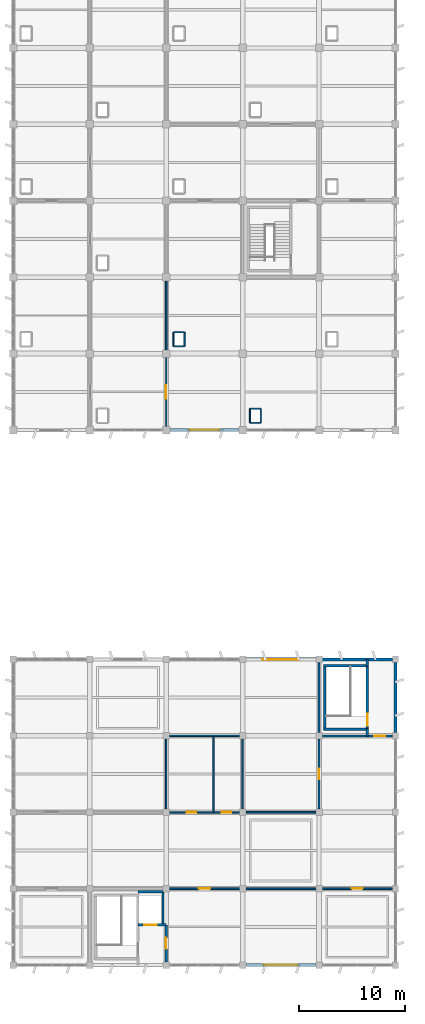
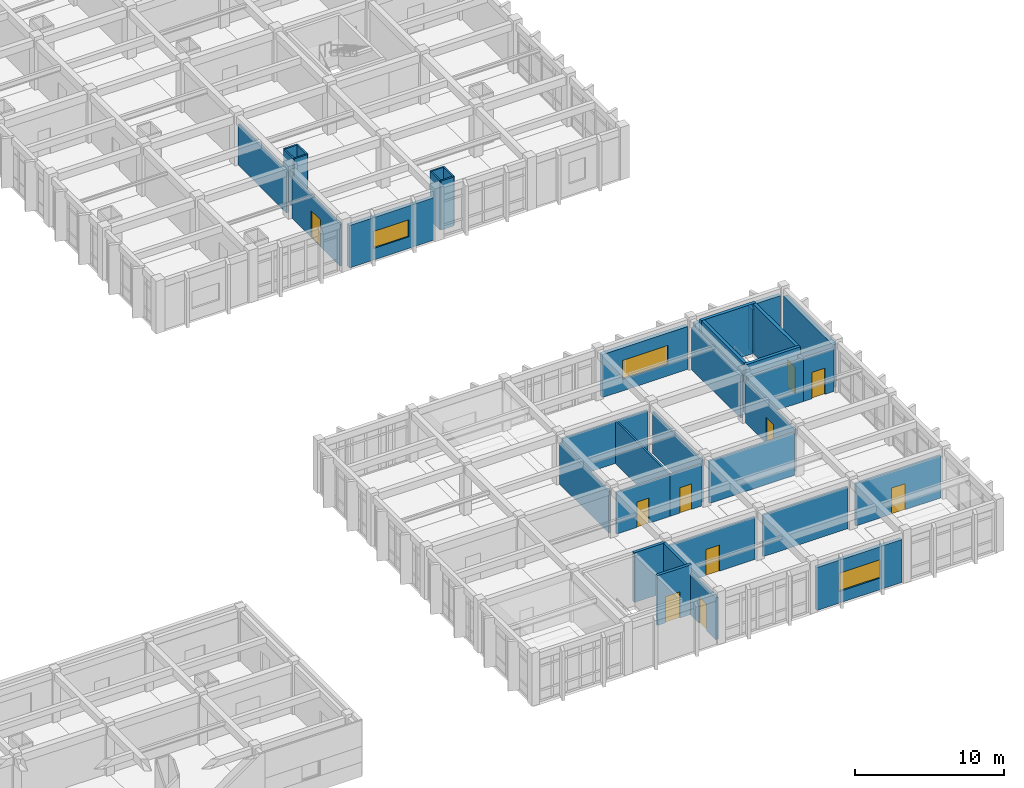
# One storey, part 60 of 70: 39 walls, 10 doors, 3 windows, 13 openings.
"""IFC4 building model written with IfcOpenShell, lengths in metres."""

from ifc_helpers import new_model, si_unit, direction, frame, frame_2d, origin, place, context, subcontext, project, spatial, rectangle, extrude, material, layer, layer_set, type_object, element, fill, save


model = new_model("IFC4")

# Units and contexts
model_context = context("Model", 3, precision=1e-05, world=origin(), true_north=direction((0.0, 1.0)))
body_context = subcontext(model_context, "Body", "Model", "MODEL_VIEW")
ifc_project = project(units=[si_unit("LENGTHUNIT", "METRE"), si_unit("AREAUNIT", "SQUARE_METRE"), si_unit("VOLUMEUNIT", "CUBIC_METRE"), si_unit("PLANEANGLEUNIT", "RADIAN"), si_unit("MASSUNIT", "GRAM", prefix="KILO")], contexts=[model_context])

# Site, building, storey
site_placement = place(None, origin())
site = spatial("IfcSite", under=ifc_project, at=site_placement, CompositionType="ELEMENT")
building_placement = place(site_placement, origin())
building = spatial("IfcBuilding", under=site, at=building_placement, Name="Kavelor Marine Aquarium", CompositionType="ELEMENT")
storey_placement = place(building_placement, frame((0.0, 0.0, 9.179931640625)))
storey = spatial("IfcBuildingStorey", under=building, at=storey_placement, Name="L02", CompositionType="ELEMENT", Elevation=9.179931640625)

# Wall, opening, window
ifc_material_1 = material(Name="Concrete C45/55", Category="concrete")
ifc_layer_1 = layer(ifc_material_1, 0.320068359375)
ifc_layer_set_1 = layer_set([ifc_layer_1], Name="WL-EX2")
wall_type_1 = type_object("IfcWallType", Name="WL-EX2", PredefinedType="STANDARD", material=ifc_layer_set_1)
wall_1_placement = place(storey_placement, frame((140.294921875, 31.60009765625, 0.0), z_axis=(0.0, 0.0, 1.0), x_axis=(1.0, 0.0, 0.0)))
wall_1 = element("IfcWall", 1, at=wall_1_placement, inside=storey, type_object=wall_type_1, Name="ew:x:L02:19_04", PredefinedType="STANDARD", context=body_context, shape_type="SweptSolid", body=[
    extrude(rectangle(XDim=6.610107421875, YDim=0.320068359375, at=frame_2d((3.30517578125, 0.0))), origin(), (0.0, 0.0, 1.0), 3.52001953125),
])
opening_1_placement = place(wall_1_placement, frame((1.554931640625, 0.0, 0.949951171875)))
opening_1 = element("IfcOpeningElement", 2, at=opening_1_placement, cuts=wall_1, Name="Opening W36", PredefinedType="OPENING", context=body_context, shape_type="SweptSolid", body=[
    extrude(rectangle(XDim=3.5, YDim=1.550048828125, at=frame_2d((1.75, 0.77490234375))), frame((0.0, 0.169921875, 0.0), z_axis=(0.0, -1.0, 0.0), x_axis=(1.0, 0.0, 0.0)), (0.0, 0.0, 1.0), 0.340068),
])
ifc_material_2 = material(Name="Anodised Aluminium Frame with Low-E Double Glazing", Category="aluminium")
window_type_1 = type_object("IfcWindowType", Name="WIN-W36", PartitioningType="DOUBLE_PANEL_VERTICAL", PredefinedType="WINDOW", material=ifc_material_2)
window_1_placement = place(opening_1_placement, origin())
window_1 = element("IfcWindow", 3, at=window_1_placement, inside=storey, type_object=window_type_1, Name="win:x:L02:19_04", OverallHeight=1.550048828125, OverallWidth=3.5, PartitioningType="SINGLE_PANEL", PredefinedType="WINDOW", context=body_context, shape_type="SweptSolid", body=[
    extrude(rectangle(XDim=3.5, YDim=1.550048828125, at=frame_2d((1.75, 0.77490234375))), frame((0.0, 0.030029296875, 0.0), z_axis=(0.0, -1.0, 0.0), x_axis=(1.0, 0.0, 0.0)), (0.0, 0.0, 1.0), 0.06005859375),
])
fill(opening_1, window_1)

# Walls
ifc_material_3 = material(Name="Concrete C40/50", Category="concrete")
ifc_layer_2 = layer(ifc_material_3, 0.300048828125)
ifc_layer_set_2 = layer_set([ifc_layer_2], Name="WL-EX3")
wall_type_2 = type_object("IfcWallType", Name="WL-EX3", PredefinedType="STANDARD", material=ifc_layer_set_2)
for number, where, z_axis, x_axis, name in (
    (4, (147.4951171875, 31.60009765625, 0.0), (0.0, 0.0, 1.0), (1.0, 0.0, 0.0), "ew:x:L02:20_04"),
    (5, (154.39990234375, 31.304931640625, 0.0), (0.0, 0.0, 1.0), (0.0, -1.0, 0.0), "ew:y:L02:21_03"),
):
    element("IfcWall", number, at=place(storey_placement, frame(where, z_axis=z_axis, x_axis=x_axis)), inside=storey, type_object=wall_type_2, Name=name, PredefinedType="STANDARD", context=body_context, shape_type="SweptSolid", body=[
        extrude(rectangle(XDim=6.60986328125, YDim=0.300048828125, at=frame_2d((3.304931640625, 0.0))), origin(), (0.0, 0.0, 1.0), 3.52001953125),
    ])

# Wall, opening, window
ifc_material_4 = material(Name="Concrete C40/50", Category="concrete")
ifc_layer_3 = layer(ifc_material_4, 0.280029296875)
ifc_layer_set_3 = layer_set([ifc_layer_3], Name="WL-EX4")
wall_type_3 = type_object("IfcWallType", Name="WL-EX4", PredefinedType="STANDARD", material=ifc_layer_set_3)
wall_2_placement = place(storey_placement, frame((139.655029296875, 53.199951171875, 0.0), z_axis=(0.0, 0.0, 1.0), x_axis=(-1.0, 0.0, 0.0)))
wall_2 = element("IfcWall", 6, at=wall_2_placement, inside=storey, type_object=wall_type_3, Name="ew:x:L02:18_07", PredefinedType="STANDARD", context=body_context, shape_type="SweptSolid", body=[
    extrude(rectangle(XDim=6.510009765625, YDim=0.280029296875, at=frame_2d((3.2548828125, 0.0))), origin(), (0.0, 0.0, 1.0), 3.47998046875),
])
opening_2_placement = place(wall_2_placement, frame((1.8798828125, 0.0, 0.949951171875)))
opening_2 = element("IfcOpeningElement", 7, at=opening_2_placement, cuts=wall_2, Name="Opening W33", PredefinedType="OPENING", context=body_context, shape_type="SweptSolid", body=[
    extrude(rectangle(XDim=2.75, YDim=1.39990234375, at=frame_2d((1.375, 0.699951171875))), frame((0.0, 0.14990234375, 0.0), z_axis=(0.0, -1.0, 0.0), x_axis=(1.0, 0.0, 0.0)), (0.0, 0.0, 1.0), 0.300029),
])
ifc_material_5 = material(Name="Anodised Aluminium Frame with Low-E Double Glazing", Category="aluminium")
window_type_2 = type_object("IfcWindowType", Name="WIN-W33", PartitioningType="DOUBLE_PANEL_VERTICAL", PredefinedType="WINDOW", material=ifc_material_5)
window_2_placement = place(opening_2_placement, origin())
window_2 = element("IfcWindow", 8, at=window_2_placement, inside=storey, type_object=window_type_2, Name="win:x:L02:18_07", OverallHeight=1.39990234375, OverallWidth=2.75, PartitioningType="SINGLE_PANEL", PredefinedType="WINDOW", context=body_context, shape_type="SweptSolid", body=[
    extrude(rectangle(XDim=2.75, YDim=1.39990234375, at=frame_2d((1.375, 0.699951171875))), frame((0.0, 0.030029296875, 0.0), z_axis=(0.0, -1.0, 0.0), x_axis=(1.0, 0.0, 0.0)), (0.0, 0.0, 1.0), 0.06005859375),
])
fill(opening_2, window_2)

wall_3_placement = place(storey_placement, frame((146.905029296875, 2.800048828125, 0.0), z_axis=(0.0, 0.0, 1.0), x_axis=(-1.0, 0.0, 0.0)))
wall_3 = element("IfcWall", 9, at=wall_3_placement, inside=storey, type_object=wall_type_3, Name="ew:x:L02:19_00", PredefinedType="STANDARD", context=body_context, shape_type="SweptSolid", body=[
    extrude(rectangle(XDim=6.610107421875, YDim=0.280029296875, at=frame_2d((3.30517578125, 0.0))), origin(), (0.0, 0.0, 1.0), 3.52001953125),
])
opening_3_placement = place(wall_3_placement, frame((1.705078125, 0.0, 0.949951171875)))
opening_3 = element("IfcOpeningElement", 10, at=opening_3_placement, cuts=wall_3, Name="Opening W35", PredefinedType="OPENING", context=body_context, shape_type="SweptSolid", body=[
    extrude(rectangle(XDim=3.199951171875, YDim=1.5, at=frame_2d((1.60009765625, 0.75))), frame((0.0, 0.14990234375, 0.0), z_axis=(0.0, -1.0, 0.0), x_axis=(1.0, 0.0, 0.0)), (0.0, 0.0, 1.0), 0.300029),
])
ifc_material_6 = material(Name="Anodised Aluminium Frame with Low-E Double Glazing", Category="aluminium")
window_type_3 = type_object("IfcWindowType", Name="WIN-W35", PartitioningType="DOUBLE_PANEL_VERTICAL", PredefinedType="WINDOW", material=ifc_material_6)
window_3_placement = place(opening_3_placement, origin())
window_3 = element("IfcWindow", 11, at=window_3_placement, inside=storey, type_object=window_type_3, Name="win:x:L02:19_00", OverallHeight=1.5, OverallWidth=3.199951171875, PartitioningType="SINGLE_PANEL", PredefinedType="WINDOW", context=body_context, shape_type="SweptSolid", body=[
    extrude(rectangle(XDim=3.199951171875, YDim=1.5, at=frame_2d((1.60009765625, 0.75))), frame((0.0, 0.030029296875, 0.0), z_axis=(0.0, -1.0, 0.0), x_axis=(1.0, 0.0, 0.0)), (0.0, 0.0, 1.0), 0.06005859375),
])
fill(opening_3, window_3)

# Wall, opening, door
ifc_material_7 = material(Name="Concrete Blockwork Partition", Category="masonry")
ifc_layer_4 = layer(ifc_material_7, 0.199951171875)
ifc_layer_set_4 = layer_set([ifc_layer_4], Name="WL-PT1")
wall_type_4 = type_object("IfcWallType", Name="WL-PT1", PredefinedType="PARTITIONING", material=ifc_layer_set_4)
wall_4_placement = place(storey_placement, frame((132.800048828125, 3.10009765625, 0.0), z_axis=(0.0, 0.0, 1.0), x_axis=(0.0, 1.0, 0.0)))
wall_4 = element("IfcWall", 12, at=wall_4_placement, inside=storey, type_object=wall_type_4, Name="pt:lob:C08:L02:e", PredefinedType="PARTITIONING", context=body_context, shape_type="SweptSolid", body=[
    extrude(rectangle(XDim=3.5, YDim=0.199951171875, at=frame_2d((1.75, 0.0))), origin(), (0.0, 0.0, 1.0), 3.420166015625),
])
opening_4_placement = place(wall_4_placement, frame((1.239990234375, 0.0, 0.0)))
opening_4 = element("IfcOpeningElement", 13, at=opening_4_placement, cuts=wall_4, Name="Opening SD1", PredefinedType="OPENING", context=body_context, shape_type="SweptSolid", body=[
    extrude(rectangle(XDim=1.02001953125, YDim=2.14990234375, at=frame_2d((0.510009765625, 1.074951171875))), frame((0.0, 0.10986328125, 0.0), z_axis=(0.0, -1.0, 0.0), x_axis=(1.0, 0.0, 0.0)), (0.0, 0.0, 1.0), 0.219951),
])
ifc_material_8 = material(Name="Fire-Rated Corridor Compartment Door")
door_type_1 = type_object("IfcDoorType", Name="DR-SD1", OperationType="NOTDEFINED", PredefinedType="DOOR", material=ifc_material_8)
door_1_placement = place(opening_4_placement, origin())
door_1 = element("IfcDoor", 14, at=door_1_placement, inside=storey, type_object=door_type_1, Name="Core Lobby Fire Door C08-L02", OperationType="SINGLE_SWING_RIGHT", OverallHeight=2.14990234375, OverallWidth=1.02001953125, PredefinedType="DOOR", context=body_context, shape_type="SweptSolid", body=[
    extrude(rectangle(XDim=1.02001953125, YDim=2.14990234375, at=frame_2d((0.510009765625, 1.074951171875))), frame((0.0, 0.02490234375, 0.0), z_axis=(0.0, -1.0, 0.0), x_axis=(1.0, 0.0, 0.0)), (0.0, 0.0, 1.0), 0.050048828125),
])
fill(opening_4, door_1)

# Walls
wall_5_placement = place(storey_placement, frame((151.739990234375, 24.39990234375, 0.0), z_axis=(0.0, 0.0, 1.0), x_axis=(0.0, 1.0, 0.0)))
element("IfcWall", 15, at=wall_5_placement, inside=storey, type_object=wall_type_4, Name="pt:st_close:s:C09:L02", PredefinedType="PARTITIONING", context=body_context, shape_type="SweptSolid", body=[
    extrude(rectangle(XDim=0.6201171875, YDim=0.199951171875, at=frame_2d((0.31005859375, 0.0))), origin(), (0.0, 0.0, 1.0), 3.469970703125),
])
wall_6_placement = place(storey_placement, frame((151.739990234375, 30.97998046875, 0.0), z_axis=(0.0, 0.0, 1.0), x_axis=(0.0, 1.0, 0.0)))
element("IfcWall", 16, at=wall_6_placement, inside=storey, type_object=wall_type_4, Name="pt:st_close:n:C09:L02", PredefinedType="PARTITIONING", context=body_context, shape_type="SweptSolid", body=[
    extrude(rectangle(XDim=0.6201171875, YDim=0.199951171875, at=frame_2d((0.31005859375, 0.0))), origin(), (0.0, 0.0, 1.0), 3.52001953125),
])
wall_7_placement = place(storey_placement, frame((147.199951171875, 24.699951171875, 0.0), z_axis=(0.0, 0.0, 1.0), x_axis=(0.0, 1.0, 0.0)))
element("IfcWall", 17, at=wall_7_placement, inside=storey, type_object=wall_type_4, Name="pt:lob:C09:L02:w", PredefinedType="PARTITIONING", context=body_context, shape_type="SweptSolid", body=[
    extrude(rectangle(XDim=6.60009765625, YDim=0.199951171875, at=frame_2d((3.300048828125, 0.0))), origin(), (0.0, 0.0, 1.0), 3.469970703125),
])
wall_8_placement = place(storey_placement, frame((147.5, 24.39990234375, 0.0), z_axis=(0.0, 0.0, 1.0), x_axis=(1.0, 0.0, 0.0)))
element("IfcWall", 18, at=wall_8_placement, inside=storey, type_object=wall_type_4, Name="pt:lob:C09:L02:s_st", PredefinedType="PARTITIONING", context=body_context, shape_type="SweptSolid", body=[
    extrude(rectangle(XDim=4.239990234375, YDim=0.199951171875, at=frame_2d((2.1201171875, 0.0))), origin(), (0.0, 0.0, 1.0), 3.469970703125),
])

# Wall, opening, door
wall_9_placement = place(storey_placement, frame((151.739990234375, 24.39990234375, 0.0), z_axis=(0.0, 0.0, 1.0), x_axis=(1.0, 0.0, 0.0)))
wall_9 = element("IfcWall", 19, at=wall_9_placement, inside=storey, type_object=wall_type_4, Name="pt:lob:C09:L02:s", PredefinedType="PARTITIONING", context=body_context, shape_type="SweptSolid", body=[
    extrude(rectangle(XDim=2.360107421875, YDim=0.199951171875, at=frame_2d((1.18017578125, 0.0))), origin(), (0.0, 0.0, 1.0), 3.469970703125),
])
opening_5_placement = place(wall_9_placement, frame((0.669921875, 0.0, 0.0)))
opening_5 = element("IfcOpeningElement", 20, at=opening_5_placement, cuts=wall_9, Name="Opening SD1", PredefinedType="OPENING", context=body_context, shape_type="SweptSolid", body=[
    extrude(rectangle(XDim=1.02001953125, YDim=2.14990234375, at=frame_2d((0.510009765625, 1.074951171875))), frame((0.0, 0.10986328125, 0.0), z_axis=(0.0, -1.0, 0.0), x_axis=(1.0, 0.0, 0.0)), (0.0, 0.0, 1.0), 0.219951),
])
door_2_placement = place(opening_5_placement, origin())
door_2 = element("IfcDoor", 21, at=door_2_placement, inside=storey, type_object=door_type_1, Name="Core Lobby Fire Door C09-L02", OperationType="SINGLE_SWING_RIGHT", OverallHeight=2.14990234375, OverallWidth=1.02001953125, PredefinedType="DOOR", context=body_context, shape_type="SweptSolid", body=[
    extrude(rectangle(XDim=1.02001953125, YDim=2.14990234375, at=frame_2d((0.510009765625, 1.074951171875))), frame((0.0, 0.02490234375, 0.0), z_axis=(0.0, -1.0, 0.0), x_axis=(1.0, 0.0, 0.0)), (0.0, 0.0, 1.0), 0.050048828125),
])
fill(opening_5, door_2)

ifc_material_9 = material(Name="Acoustic Gypsum Stud Partition")
ifc_layer_5 = layer(ifc_material_9, 0.159912109375)
ifc_layer_set_5 = layer_set([ifc_layer_5], Name="WL-PT2")
wall_type_5 = type_object("IfcWallType", Name="WL-PT2", PredefinedType="PARTITIONING", material=ifc_layer_set_5)
wall_10_placement = place(storey_placement, frame((132.800048828125, 53.550048828125, 0.0), z_axis=(0.0, 0.0, 1.0), x_axis=(0.0, 1.0, 0.0)))
wall_10 = element("IfcWall", 22, at=wall_10_placement, inside=storey, type_object=wall_type_5, Name="pt:y:L02:17_07", PredefinedType="PARTITIONING", context=body_context, shape_type="SweptSolid", body=[
    extrude(rectangle(XDim=6.5, YDim=0.159912109375, at=frame_2d((3.25, 0.0))), origin(), (0.0, 0.0, 1.0), 3.43017578125),
])
opening_6_placement = place(wall_10_placement, frame((2.610107421875, 0.0, 0.0)))
opening_6 = element("IfcOpeningElement", 23, at=opening_6_placement, cuts=wall_10, Name="Opening D10", PredefinedType="OPENING", context=body_context, shape_type="SweptSolid", body=[
    extrude(rectangle(XDim=1.280029296875, YDim=2.199951171875, at=frame_2d((0.64013671875, 1.10009765625))), frame((0.0, 0.08984375, 0.0), z_axis=(0.0, -1.0, 0.0), x_axis=(1.0, 0.0, 0.0)), (0.0, 0.0, 1.0), 0.179912),
])
ifc_material_10 = material(Name="Equipment Store Wide Leaf Door")
door_type_2 = type_object("IfcDoorType", Name="DR-D10", OperationType="NOTDEFINED", PredefinedType="DOOR", material=ifc_material_10)
door_3_placement = place(opening_6_placement, origin())
door_3 = element("IfcDoor", 24, at=door_3_placement, inside=storey, type_object=door_type_2, Name="dr:rm:pt:y:L02:17_07:0", OperationType="SINGLE_SWING_LEFT", OverallHeight=2.199951171875, OverallWidth=1.280029296875, PredefinedType="DOOR", context=body_context, shape_type="SweptSolid", body=[
    extrude(rectangle(XDim=1.280029296875, YDim=2.199951171875, at=frame_2d((0.64013671875, 1.10009765625))), frame((0.0, 0.02490234375, 0.0), z_axis=(0.0, -1.0, 0.0), x_axis=(1.0, 0.0, 0.0)), (0.0, 0.0, 1.0), 0.050048828125),
])
fill(opening_6, door_3)

# Wall
wall_11_placement = place(storey_placement, frame((132.800048828125, 60.75, 0.0), z_axis=(0.0, 0.0, 1.0), x_axis=(0.0, 1.0, 0.0)))
element("IfcWall", 25, at=wall_11_placement, inside=storey, type_object=wall_type_5, Name="pt:y:L02:17_08", PredefinedType="PARTITIONING", context=body_context, shape_type="SweptSolid", body=[
    extrude(rectangle(XDim=6.5, YDim=0.159912109375, at=frame_2d((3.25, 0.0))), origin(), (0.0, 0.0, 1.0), 3.360107421875),
])

# Wall, opening, door
wall_12_placement = place(storey_placement, frame((133.10009765625, 10.0, 0.0), z_axis=(0.0, 0.0, 1.0), x_axis=(1.0, 0.0, 0.0)))
wall_12 = element("IfcWall", 26, at=wall_12_placement, inside=storey, type_object=wall_type_5, Name="pt:x:L02:18_00", PredefinedType="PARTITIONING", context=body_context, shape_type="SweptSolid", body=[
    extrude(rectangle(XDim=6.599853515625, YDim=0.159912109375, at=frame_2d((3.2998046875, 0.0))), origin(), (0.0, 0.0, 1.0), 3.469970703125),
])
opening_7_placement = place(wall_12_placement, frame((2.77490234375, 0.0, 0.0)))
opening_7 = element("IfcOpeningElement", 27, at=opening_7_placement, cuts=wall_12, Name="Opening D05", PredefinedType="OPENING", context=body_context, shape_type="SweptSolid", body=[
    extrude(rectangle(XDim=1.050048828125, YDim=2.139892578125, at=frame_2d((0.52490234375, 1.06982421875))), frame((0.0, 0.08984375, 0.0), z_axis=(0.0, -1.0, 0.0), x_axis=(1.0, 0.0, 0.0)), (0.0, 0.0, 1.0), 0.179912),
])
ifc_material_11 = material(Name="Classroom Vision-Panel Timber Door", Category="wood")
door_type_3 = type_object("IfcDoorType", Name="DR-D05", OperationType="NOTDEFINED", PredefinedType="DOOR", material=ifc_material_11)
door_4_placement = place(opening_7_placement, origin())
door_4 = element("IfcDoor", 28, at=door_4_placement, inside=storey, type_object=door_type_3, Name="dr:rm:pt:x:L02:18_00:0", OperationType="SINGLE_SWING_RIGHT", OverallHeight=2.139892578125, OverallWidth=1.050048828125, PredefinedType="DOOR", context=body_context, shape_type="SweptSolid", body=[
    extrude(rectangle(XDim=1.050048828125, YDim=2.139892578125, at=frame_2d((0.52490234375, 1.06982421875))), frame((0.0, 0.02490234375, 0.0), z_axis=(0.0, -1.0, 0.0), x_axis=(1.0, 0.0, 0.0)), (0.0, 0.0, 1.0), 0.050048828125),
])
fill(opening_7, door_4)

# Walls
wall_13_placement = place(storey_placement, frame((140.300048828125, 10.0, 0.0), z_axis=(0.0, 0.0, 1.0), x_axis=(1.0, 0.0, 0.0)))
element("IfcWall", 29, at=wall_13_placement, inside=storey, type_object=wall_type_5, Name="pt:x:L02:19_00", PredefinedType="PARTITIONING", context=body_context, shape_type="SweptSolid", body=[
    extrude(rectangle(XDim=6.599853515625, YDim=0.159912109375, at=frame_2d((3.2998046875, 0.0))), origin(), (0.0, 0.0, 1.0), 3.420166015625),
])
wall_14_placement = place(storey_placement, frame((140.300048828125, 17.199951171875, 0.0), z_axis=(0.0, 0.0, 1.0), x_axis=(1.0, 0.0, 0.0)))
element("IfcWall", 30, at=wall_14_placement, inside=storey, type_object=wall_type_5, Name="pt:x:L02:19_01", PredefinedType="PARTITIONING", context=body_context, shape_type="SweptSolid", body=[
    extrude(rectangle(XDim=6.599853515625, YDim=0.159912109375, at=frame_2d((3.2998046875, 0.0))), origin(), (0.0, 0.0, 1.0), 3.469970703125),
])

# Wall, opening, door
wall_15_placement = place(storey_placement, frame((147.199951171875, 17.5, 0.0), z_axis=(0.0, 0.0, 1.0), x_axis=(0.0, 1.0, 0.0)))
wall_15 = element("IfcWall", 31, at=wall_15_placement, inside=storey, type_object=wall_type_5, Name="pt:y:L02:19_02", PredefinedType="PARTITIONING", context=body_context, shape_type="SweptSolid", body=[
    extrude(rectangle(XDim=6.60009765625, YDim=0.159912109375, at=frame_2d((3.300048828125, 0.0))), origin(), (0.0, 0.0, 1.0), 3.420166015625),
])
opening_8_placement = place(wall_15_placement, frame((2.81005859375, 0.0, 0.0)))
opening_8 = element("IfcOpeningElement", 32, at=opening_8_placement, cuts=wall_15, Name="Opening D07", PredefinedType="OPENING", context=body_context, shape_type="SweptSolid", body=[
    extrude(rectangle(XDim=0.97998046875, YDim=2.1201171875, at=frame_2d((0.489990234375, 1.06005859375))), frame((0.0, 0.08984375, 0.0), z_axis=(0.0, -1.0, 0.0), x_axis=(1.0, 0.0, 0.0)), (0.0, 0.0, 1.0), 0.179912),
])
ifc_material_12 = material(Name="Research Write-Up Timber Door", Category="wood")
door_type_4 = type_object("IfcDoorType", Name="DR-D07", OperationType="NOTDEFINED", PredefinedType="DOOR", material=ifc_material_12)
door_5_placement = place(opening_8_placement, origin())
door_5 = element("IfcDoor", 33, at=door_5_placement, inside=storey, type_object=door_type_4, Name="dr:rm:pt:y:L02:19_02:1", OperationType="SINGLE_SWING_LEFT", OverallHeight=2.1201171875, OverallWidth=0.97998046875, PredefinedType="DOOR", context=body_context, shape_type="SweptSolid", body=[
    extrude(rectangle(XDim=0.97998046875, YDim=2.1201171875, at=frame_2d((0.489990234375, 1.06005859375))), frame((0.0, 0.02490234375, 0.0), z_axis=(0.0, -1.0, 0.0), x_axis=(1.0, 0.0, 0.0)), (0.0, 0.0, 1.0), 0.050048828125),
])
fill(opening_8, door_5)

wall_16_placement = place(storey_placement, frame((147.5, 10.0, 0.0), z_axis=(0.0, 0.0, 1.0), x_axis=(1.0, 0.0, 0.0)))
wall_16 = element("IfcWall", 34, at=wall_16_placement, inside=storey, type_object=wall_type_5, Name="pt:x:L02:20_00", PredefinedType="PARTITIONING", context=body_context, shape_type="SweptSolid", body=[
    extrude(rectangle(XDim=6.60009765625, YDim=0.159912109375, at=frame_2d((3.300048828125, 0.0))), origin(), (0.0, 0.0, 1.0), 3.469970703125),
])
opening_9_placement = place(wall_16_placement, frame((2.77490234375, 0.0, 0.0)))
opening_9 = element("IfcOpeningElement", 35, at=opening_9_placement, cuts=wall_16, Name="Opening D05", PredefinedType="OPENING", context=body_context, shape_type="SweptSolid", body=[
    extrude(rectangle(XDim=1.050048828125, YDim=2.139892578125, at=frame_2d((0.52490234375, 1.06982421875))), frame((0.0, 0.08984375, 0.0), z_axis=(0.0, -1.0, 0.0), x_axis=(1.0, 0.0, 0.0)), (0.0, 0.0, 1.0), 0.179912),
])
door_6_placement = place(opening_9_placement, origin())
door_6 = element("IfcDoor", 36, at=door_6_placement, inside=storey, type_object=door_type_3, Name="dr:rm:pt:x:L02:20_00:1", OperationType="SINGLE_SWING_LEFT", OverallHeight=2.139892578125, OverallWidth=1.050048828125, PredefinedType="DOOR", context=body_context, shape_type="SweptSolid", body=[
    extrude(rectangle(XDim=1.050048828125, YDim=2.139892578125, at=frame_2d((0.52490234375, 1.06982421875))), frame((0.0, 0.02490234375, 0.0), z_axis=(0.0, -1.0, 0.0), x_axis=(1.0, 0.0, 0.0)), (0.0, 0.0, 1.0), 0.050048828125),
])
fill(opening_9, door_6)

# Wall
ifc_material_13 = material(Name="Moisture-Resistant Marine Partition")
ifc_layer_6 = layer(ifc_material_13, 0.139892578125)
ifc_layer_set_6 = layer_set([ifc_layer_6], Name="WL-PT3")
wall_type_6 = type_object("IfcWallType", Name="WL-PT3", PredefinedType="PARTITIONING", material=ifc_layer_set_6)
wall_17_placement = place(storey_placement, frame((137.25, 17.199951171875, 0.0), z_axis=(0.0, 0.0, 1.0), x_axis=(0.0, 1.0, 0.0)))
element("IfcWall", 37, at=wall_17_placement, inside=storey, type_object=wall_type_6, Name="pt:san:div:L02:18_02", PredefinedType="PARTITIONING", context=body_context, shape_type="SweptSolid", body=[
    extrude(rectangle(XDim=7.199951171875, YDim=0.139892578125, at=frame_2d((3.60009765625, 0.0))), origin(), (0.0, 0.0, 1.0), 3.5),
])

# Wall, opening, door
wall_18_placement = place(storey_placement, frame((133.10009765625, 17.199951171875, 0.0), z_axis=(0.0, 0.0, 1.0), x_axis=(1.0, 0.0, 0.0)))
wall_18 = element("IfcWall", 38, at=wall_18_placement, inside=storey, type_object=wall_type_6, Name="pt:san:f1:L02:18_02", PredefinedType="PARTITIONING", context=body_context, shape_type="SweptSolid", body=[
    extrude(rectangle(XDim=4.14990234375, YDim=0.139892578125, at=frame_2d((2.074951171875, 0.0))), origin(), (0.0, 0.0, 1.0), 3.420166015625),
])
opening_10_placement = place(wall_18_placement, frame((1.614990234375, 0.0, 0.0)))
opening_10 = element("IfcOpeningElement", 39, at=opening_10_placement, cuts=wall_18, Name="Opening D02", PredefinedType="OPENING", context=body_context, shape_type="SweptSolid", body=[
    extrude(rectangle(XDim=0.919921875, YDim=2.080078125, at=frame_2d((0.4599609375, 1.0400390625))), frame((0.0, 0.079833984375, 0.0), z_axis=(0.0, -1.0, 0.0), x_axis=(1.0, 0.0, 0.0)), (0.0, 0.0, 1.0), 0.159893),
])
ifc_material_14 = material(Name="Moisture-Resistant Laminate Sanitary Door")
door_type_5 = type_object("IfcDoorType", Name="DR-D02", OperationType="NOTDEFINED", PredefinedType="DOOR", material=ifc_material_14)
door_7_placement = place(opening_10_placement, origin())
door_7 = element("IfcDoor", 40, at=door_7_placement, inside=storey, type_object=door_type_5, Name="dr:wc:L02:18_02", OperationType="SINGLE_SWING_LEFT", OverallHeight=2.080078125, OverallWidth=0.919921875, PredefinedType="DOOR", context=body_context, shape_type="SweptSolid", body=[
    extrude(rectangle(XDim=0.919921875, YDim=2.080078125, at=frame_2d((0.4599609375, 1.0400390625))), frame((0.0, 0.02490234375, 0.0), z_axis=(0.0, -1.0, 0.0), x_axis=(1.0, 0.0, 0.0)), (0.0, 0.0, 1.0), 0.050048828125),
])
fill(opening_10, door_7)

wall_19_placement = place(storey_placement, frame((137.25, 17.199951171875, 0.0), z_axis=(0.0, 0.0, 1.0), x_axis=(1.0, 0.0, 0.0)))
wall_19 = element("IfcWall", 41, at=wall_19_placement, inside=storey, type_object=wall_type_6, Name="pt:san:f2:L02:18_02", PredefinedType="PARTITIONING", context=body_context, shape_type="SweptSolid", body=[
    extrude(rectangle(XDim=2.449951171875, YDim=0.139892578125, at=frame_2d((1.22509765625, 0.0))), origin(), (0.0, 0.0, 1.0), 3.420166015625),
])
opening_11_placement = place(wall_19_placement, frame((0.764892578125, 0.0, 0.0)))
opening_11 = element("IfcOpeningElement", 42, at=opening_11_placement, cuts=wall_19, Name="Opening D02", PredefinedType="OPENING", context=body_context, shape_type="SweptSolid", body=[
    extrude(rectangle(XDim=0.919921875, YDim=2.080078125, at=frame_2d((0.4599609375, 1.0400390625))), frame((0.0, 0.079833984375, 0.0), z_axis=(0.0, -1.0, 0.0), x_axis=(1.0, 0.0, 0.0)), (0.0, 0.0, 1.0), 0.159893),
])
door_8_placement = place(opening_11_placement, origin())
door_8 = element("IfcDoor", 43, at=door_8_placement, inside=storey, type_object=door_type_5, Name="dr:awc:L02:18_02", OperationType="SINGLE_SWING_RIGHT", OverallHeight=2.080078125, OverallWidth=0.919921875, PredefinedType="DOOR", context=body_context, shape_type="SweptSolid", body=[
    extrude(rectangle(XDim=0.919921875, YDim=2.080078125, at=frame_2d((0.4599609375, 1.0400390625))), frame((0.0, 0.02490234375, 0.0), z_axis=(0.0, -1.0, 0.0), x_axis=(1.0, 0.0, 0.0)), (0.0, 0.0, 1.0), 0.050048828125),
])
fill(opening_11, door_8)

# Walls
wall_20_placement = place(storey_placement, frame((133.10009765625, 24.39990234375, 0.0), z_axis=(0.0, 0.0, 1.0), x_axis=(1.0, 0.0, 0.0)))
element("IfcWall", 44, at=wall_20_placement, inside=storey, type_object=wall_type_6, Name="pt:san:enc_n:L02:18_02", PredefinedType="PARTITIONING", context=body_context, shape_type="SweptSolid", body=[
    extrude(rectangle(XDim=6.599853515625, YDim=0.139892578125, at=frame_2d((3.2998046875, 0.0))), origin(), (0.0, 0.0, 1.0), 3.469970703125),
])
for number, where, z_axis, x_axis, name in (
    (45, (132.800048828125, 17.5, 0.0), (0.0, 0.0, 1.0), (0.0, 1.0, 0.0), "pt:san:enc_w:L02:18_02"),
    (46, (140.0, 17.5, 0.0), (0.0, 0.0, 1.0), (0.0, 1.0, 0.0), "pt:san:enc_e:L02:18_02"),
):
    element("IfcWall", number, at=place(storey_placement, frame(where, z_axis=z_axis, x_axis=x_axis)), inside=storey, type_object=wall_type_6, Name=name, PredefinedType="PARTITIONING", context=body_context, shape_type="SweptSolid", body=[
        extrude(rectangle(XDim=6.60009765625, YDim=0.139892578125, at=frame_2d((3.300048828125, 0.0))), origin(), (0.0, 0.0, 1.0), 3.420166015625),
    ])
ifc_material_15 = material(Name="Lightweight Drywall Partition")
ifc_layer_7 = layer(ifc_material_15, 0.1201171875)
ifc_layer_set_7 = layer_set([ifc_layer_7], Name="WL-PT4")
wall_type_7 = type_object("IfcWallType", Name="WL-PT4", PredefinedType="PARTITIONING", material=ifc_layer_set_7)
for number, where, z_axis, x_axis, name in (
    (47, (133.489990234375, 61.090087890625, 0.0), (0.0, 0.0, 1.0), (1.0, 0.0, 0.0), "riser:s:L02:18_08"),
    (48, (133.489990234375, 62.409912109375, 0.0), (0.0, 0.0, 1.0), (1.0, 0.0, 0.0), "riser:n:L02:18_08"),
):
    element("IfcWall", number, at=place(storey_placement, frame(where, z_axis=z_axis, x_axis=x_axis)), inside=storey, type_object=wall_type_7, Name=name, PredefinedType="PARTITIONING", context=body_context, shape_type="SweptSolid", body=[
        extrude(rectangle(XDim=1.02001953125, YDim=0.1201171875, at=frame_2d((0.510009765625, 0.0))), origin(), (0.0, 0.0, 1.0), 4.0),
    ])
for number, where, z_axis, x_axis, name in (
    (49, (133.489990234375, 61.090087890625, 0.0), (0.0, 0.0, 1.0), (0.0, 1.0, 0.0), "riser:w:L02:18_08"),
    (50, (134.510009765625, 61.090087890625, 0.0), (0.0, 0.0, 1.0), (0.0, 1.0, 0.0), "riser:e:L02:18_08"),
):
    element("IfcWall", number, at=place(storey_placement, frame(where, z_axis=z_axis, x_axis=x_axis)), inside=storey, type_object=wall_type_7, Name=name, PredefinedType="PARTITIONING", context=body_context, shape_type="SweptSolid", body=[
        extrude(rectangle(XDim=1.31982421875, YDim=0.1201171875, at=frame_2d((0.659912109375, 0.0))), origin(), (0.0, 0.0, 1.0), 4.0),
    ])
for number, where, z_axis, x_axis, name in (
    (51, (140.68994140625, 53.889892578125, 0.0), (0.0, 0.0, 1.0), (1.0, 0.0, 0.0), "riser:s:L02:19_07"),
    (52, (140.68994140625, 55.2099609375, 0.0), (0.0, 0.0, 1.0), (1.0, 0.0, 0.0), "riser:n:L02:19_07"),
):
    element("IfcWall", number, at=place(storey_placement, frame(where, z_axis=z_axis, x_axis=x_axis)), inside=storey, type_object=wall_type_7, Name=name, PredefinedType="PARTITIONING", context=body_context, shape_type="SweptSolid", body=[
        extrude(rectangle(XDim=1.02001953125, YDim=0.1201171875, at=frame_2d((0.510009765625, 0.0))), origin(), (0.0, 0.0, 1.0), 4.02001953125),
    ])
for number, where, z_axis, x_axis, name in (
    (53, (140.68994140625, 53.889892578125, 0.0), (0.0, 0.0, 1.0), (0.0, 1.0, 0.0), "riser:w:L02:19_07"),
    (54, (141.7099609375, 53.889892578125, 0.0), (0.0, 0.0, 1.0), (0.0, 1.0, 0.0), "riser:e:L02:19_07"),
):
    element("IfcWall", number, at=place(storey_placement, frame(where, z_axis=z_axis, x_axis=x_axis)), inside=storey, type_object=wall_type_7, Name=name, PredefinedType="PARTITIONING", context=body_context, shape_type="SweptSolid", body=[
        extrude(rectangle(XDim=1.320068359375, YDim=0.1201171875, at=frame_2d((0.66015625, 0.0))), origin(), (0.0, 0.0, 1.0), 4.02001953125),
    ])

# Wall, opening, door
ifc_material_16 = material(Name="Concrete C40/50", Category="concrete")
ifc_layer_8 = layer(ifc_material_16, 0.35009765625)
ifc_layer_set_8 = layer_set([ifc_layer_8], Name="WL-SW2")
wall_type_8 = type_object("IfcWallType", Name="WL-SW2", PredefinedType="SHEAR", material=ifc_layer_set_8)
wall_21_placement = place(storey_placement, frame((130.139892578125, 6.60009765625, 0.0), z_axis=(0.0, 0.0, 1.0), x_axis=(1.0, 0.0, 0.0)))
wall_21 = element("IfcWall", 55, at=wall_21_placement, inside=storey, type_object=wall_type_8, Name="cw_lf:s:C08:L02", PredefinedType="SHEAR", context=body_context, shape_type="SweptSolid", body=[
    extrude(rectangle(XDim=2.66015625, YDim=0.219970703125, at=frame_2d((1.330078125, 0.0))), origin(), (0.0, 0.0, 1.0), 4.080078125),
])
opening_12_placement = place(wall_21_placement, frame((0.610107421875, 0.0, 0.0)))
opening_12 = element("IfcOpeningElement", 56, at=opening_12_placement, cuts=wall_21, Name="Opening LD1", PredefinedType="OPENING", context=body_context, shape_type="SweptSolid", body=[
    extrude(rectangle(XDim=1.139892578125, YDim=2.14990234375, at=frame_2d((0.56982421875, 1.074951171875))), frame((0.0, 0.119873046875, 0.0), z_axis=(0.0, -1.0, 0.0), x_axis=(1.0, 0.0, 0.0)), (0.0, 0.0, 1.0), 0.239971),
])
ifc_material_17 = material(Name="Stainless Steel Lift Landing Sliding Door", Category="steel")
door_type_6 = type_object("IfcDoorType", Name="DR-LD1", OperationType="NOTDEFINED", PredefinedType="DOOR", material=ifc_material_17)
door_9_placement = place(opening_12_placement, origin())
door_9 = element("IfcDoor", 57, at=door_9_placement, inside=storey, type_object=door_type_6, Name="Lift Landing Sliding Door EL4-L02", OperationType="SLIDING_TO_LEFT", OverallHeight=2.14990234375, OverallWidth=1.139892578125, PredefinedType="DOOR", context=body_context, shape_type="SweptSolid", body=[
    extrude(rectangle(XDim=1.139892578125, YDim=2.14990234375, at=frame_2d((0.56982421875, 1.074951171875))), frame((0.0, 0.02490234375, 0.0), z_axis=(0.0, -1.0, 0.0), x_axis=(1.0, 0.0, 0.0)), (0.0, 0.0, 1.0), 0.050048828125),
])
fill(opening_12, door_9)

# Walls
wall_22_placement = place(storey_placement, frame((130.139892578125, 9.699951171875, 0.0), z_axis=(0.0, 0.0, 1.0), x_axis=(1.0, 0.0, 0.0)))
element("IfcWall", 58, at=wall_22_placement, inside=storey, type_object=wall_type_8, Name="cw_lf:n:C08:L02", PredefinedType="SHEAR", context=body_context, shape_type="SweptSolid", body=[
    extrude(rectangle(XDim=2.360107421875, YDim=0.219970703125, at=frame_2d((1.18017578125, 0.0))), origin(), (0.0, 0.0, 1.0), 4.080078125),
])
wall_23_placement = place(storey_placement, frame((132.5, 6.60009765625, 0.0), z_axis=(0.0, 0.0, 1.0), x_axis=(0.0, 1.0, 0.0)))
element("IfcWall", 59, at=wall_23_placement, inside=storey, type_object=wall_type_8, Name="cw_lf:e:C08:L02", PredefinedType="SHEAR", context=body_context, shape_type="SweptSolid", body=[
    extrude(rectangle(XDim=3.099853515625, YDim=0.219970703125, at=frame_2d((1.5498046875, 0.0))), origin(), (0.0, 0.0, 1.0), 4.080078125),
])
for number, where, z_axis, x_axis, name in (
    (60, (147.6201171875, 25.02001953125, 0.0), (0.0, 0.0, 1.0), (1.0, 0.0, 0.0), "cw_st:s:C09:L02"),
    (61, (147.6201171875, 30.97998046875, 0.0), (0.0, 0.0, 1.0), (1.0, 0.0, 0.0), "cw_st:n:C09:L02"),
):
    element("IfcWall", number, at=place(storey_placement, frame(where, z_axis=z_axis, x_axis=x_axis)), inside=storey, type_object=wall_type_8, Name=name, PredefinedType="SHEAR", context=body_context, shape_type="SweptSolid", body=[
        extrude(rectangle(XDim=4.239990234375, YDim=0.239990234375, at=frame_2d((2.1201171875, 0.0))), origin(), (0.0, 0.0, 1.0), 4.080078125),
    ])
wall_24_placement = place(storey_placement, frame((147.739990234375, 25.139892578125, 0.0), z_axis=(0.0, 0.0, 1.0), x_axis=(0.0, 1.0, 0.0)))
element("IfcWall", 62, at=wall_24_placement, inside=storey, type_object=wall_type_8, Name="cw_st:w:C09:L02", PredefinedType="SHEAR", context=body_context, shape_type="SweptSolid", body=[
    extrude(rectangle(XDim=5.72021484375, YDim=0.239990234375, at=frame_2d((2.860107421875, 0.0))), origin(), (0.0, 0.0, 1.0), 4.080078125),
])

# Wall, opening, door
wall_25_placement = place(storey_placement, frame((151.739990234375, 25.139892578125, 0.0), z_axis=(0.0, 0.0, 1.0), x_axis=(0.0, 1.0, 0.0)))
wall_25 = element("IfcWall", 63, at=wall_25_placement, inside=storey, type_object=wall_type_8, Name="cw_st:e:C09:L02", PredefinedType="SHEAR", context=body_context, shape_type="SweptSolid", body=[
    extrude(rectangle(XDim=5.72021484375, YDim=0.239990234375, at=frame_2d((2.860107421875, 0.0))), origin(), (0.0, 0.0, 1.0), 4.080078125),
])
opening_13_placement = place(wall_25_placement, frame((0.219970703125, 0.0, 0.0)))
opening_13 = element("IfcOpeningElement", 64, at=opening_13_placement, cuts=wall_25, Name="Opening FD1", PredefinedType="OPENING", context=body_context, shape_type="SweptSolid", body=[
    extrude(rectangle(XDim=1.1201171875, YDim=2.14990234375, at=frame_2d((0.56005859375, 1.074951171875))), frame((0.0, 0.1298828125, 0.0), z_axis=(0.0, -1.0, 0.0), x_axis=(1.0, 0.0, 0.0)), (0.0, 0.0, 1.0), 0.25999),
])
ifc_material_18 = material(Name="Fire-Rated Steel Stair and Core Door", Category="steel")
door_type_7 = type_object("IfcDoorType", Name="DR-FD1", OperationType="NOTDEFINED", PredefinedType="DOOR", material=ifc_material_18)
door_10_placement = place(opening_13_placement, origin())
door_10 = element("IfcDoor", 65, at=door_10_placement, inside=storey, type_object=door_type_7, Name="Stair Fire Door ST09-L02", OperationType="SINGLE_SWING_LEFT", OverallHeight=2.14990234375, OverallWidth=1.1201171875, PredefinedType="DOOR", context=body_context, shape_type="SweptSolid", body=[
    extrude(rectangle(XDim=1.1201171875, YDim=2.14990234375, at=frame_2d((0.56005859375, 1.074951171875))), frame((0.0, 0.02490234375, 0.0), z_axis=(0.0, -1.0, 0.0), x_axis=(1.0, 0.0, 0.0)), (0.0, 0.0, 1.0), 0.050048828125),
])
fill(opening_13, door_10)

save(model, "model.ifc")
